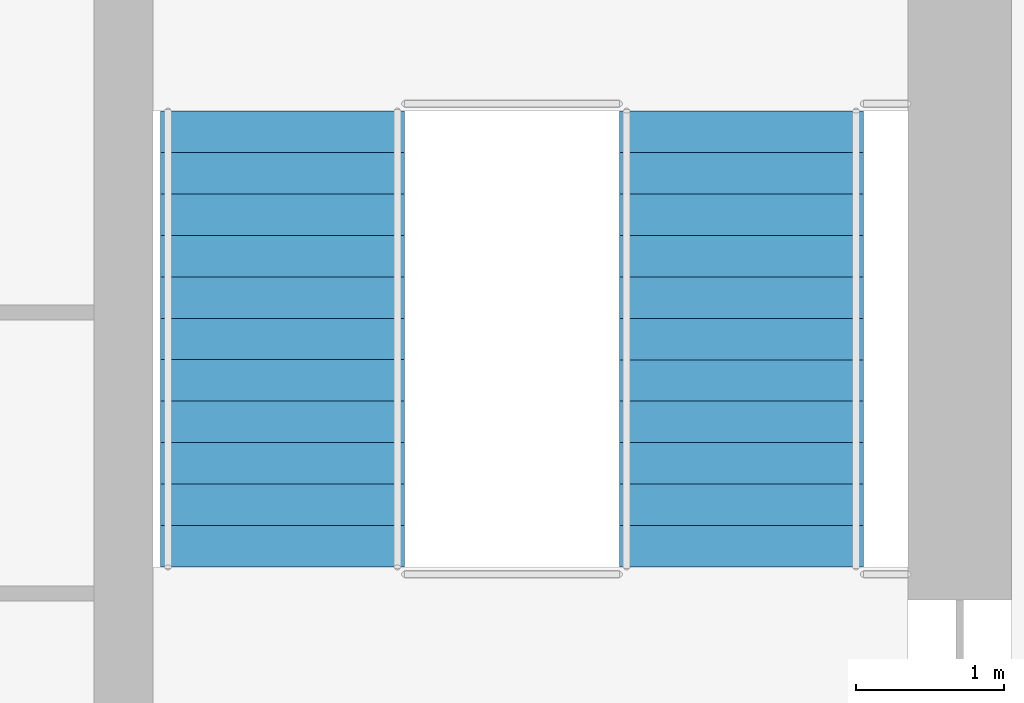
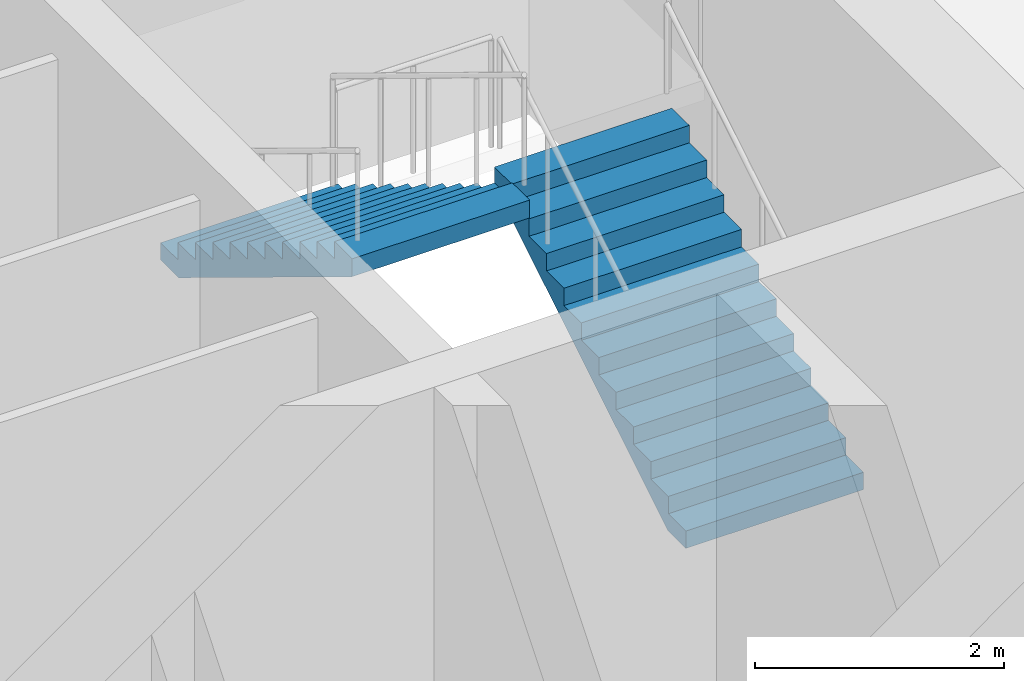
# One storey, part 7 of 14: 2 stair flights, 1 element without a shape of its own.
"""IFC4 building model written with IfcOpenShell, lengths in metres."""

from ifc_helpers import new_model, si_unit, direction, frame, origin, place, context, subcontext, project, spatial, polyline, outline, extrude, material, type_object, element, aggregate, save


model = new_model("IFC4")

# Units and contexts
model_context = context("Model", 3, precision=1e-05, world=origin(), true_north=direction((0.0, 1.0)))
body_context = subcontext(model_context, "Body", "Model", "MODEL_VIEW")
ifc_project = project(units=[si_unit("LENGTHUNIT", "METRE"), si_unit("AREAUNIT", "SQUARE_METRE"), si_unit("VOLUMEUNIT", "CUBIC_METRE"), si_unit("PLANEANGLEUNIT", "RADIAN"), si_unit("MASSUNIT", "GRAM", prefix="KILO")], contexts=[model_context])

# Site, building, storey
site_placement = place(None, origin())
site = spatial("IfcSite", under=ifc_project, at=site_placement, CompositionType="ELEMENT")
building_placement = place(site_placement, origin())
building = spatial("IfcBuilding", under=site, at=building_placement, Name="Corbel Stack Research Tower", CompositionType="ELEMENT")
storey_placement = place(building_placement, frame((0.0, 0.0, 278.60009765625)))
storey = spatial("IfcBuildingStorey", under=building, at=storey_placement, Name="L63", CompositionType="ELEMENT", Elevation=278.60009765625)

# Stair, stair flights
ifc_material_1 = material(Name="Concrete C40/50", Category="concrete")
stair_type = type_object("IfcStairType", Name="Exit stair 24 risers", PredefinedType="HALF_TURN_STAIR", material=ifc_material_1)
stair_placement = place(storey_placement, origin())
stair = element("IfcStair", 1, at=stair_placement, inside=storey, type_object=stair_type, Name="L63 Exit stair ST-E2", PredefinedType="HALF_TURN_STAIR")
ifc_material_2 = material(Name="Concrete C40/50", Category="concrete")
stair_flight_type = type_object("IfcStairFlightType", Name="Stair flight 12 risers", PredefinedType="STRAIGHT", material=ifc_material_2)
stair_flight_1_placement = place(storey_placement, frame((16.175048828125, 11.89990234375, 0.0), z_axis=(0.0, 0.0, 1.0), x_axis=(0.0, 1.0, 0.0)))
stair_flight_1 = element("IfcStairFlight", 2, at=stair_flight_1_placement, type_object=stair_flight_type, Name="ST-E2 flight 1", NumberOfRisers=12, NumberOfTreads=11, PredefinedType="STRAIGHT", RiserHeight=0.170833333, TreadLength=0.28, context=body_context, shape_type="SweptSolid", body=[
    extrude(outline(polyline([(0.0, 0.0), (0.0, 0.1708984375), (0.280029296875, 0.1708984375), (0.280029296875, 0.341552734375), (0.56005859375, 0.341552734375), (0.56005859375, 0.512451171875), (0.840087890625, 0.512451171875), (0.840087890625, 0.683349609375), (1.1201171875, 0.683349609375), (1.1201171875, 0.854248046875), (1.39990234375, 0.854248046875), (1.39990234375, 1.02490234375), (1.679931640625, 1.02490234375), (1.679931640625, 1.19580078125), (1.9599609375, 1.19580078125), (1.9599609375, 1.36669921875), (2.239990234375, 1.36669921875), (2.239990234375, 1.53759765625), (2.52001953125, 1.53759765625), (2.52001953125, 1.708251953125), (2.800048828125, 1.708251953125), (2.800048828125, 1.879150390625), (3.080078125, 1.879150390625), (3.080078125, 2.050048828125), (3.080078125, 1.70361328125), (0.287841796875, 0.0), (0.0, 0.0)])), frame((0.0, 0.824951171875, 0.0), z_axis=(0.0, -1.0, 0.0), x_axis=(1.0, 0.0, 0.0)), (0.0, 0.0, 1.0), 1.64990234375),
])
stair_flight_2_placement = place(storey_placement, frame((13.074951171875, 14.97998046875, 2.0498046875), z_axis=(0.0, 0.0, 1.0), x_axis=(0.0, -1.0, 0.0)))
stair_flight_2 = element("IfcStairFlight", 3, at=stair_flight_2_placement, type_object=stair_flight_type, Name="ST-E2 flight 2", NumberOfRisers=12, NumberOfTreads=11, PredefinedType="STRAIGHT", RiserHeight=0.170833333, TreadLength=0.28, context=body_context, shape_type="SweptSolid", body=[
    extrude(outline(polyline([(0.0, 0.0), (0.0, 0.1708984375), (0.280029296875, 0.1708984375), (0.280029296875, 0.341552734375), (0.56005859375, 0.341552734375), (0.56005859375, 0.512451171875), (0.840087890625, 0.512451171875), (0.840087890625, 0.683349609375), (1.1201171875, 0.683349609375), (1.1201171875, 0.854248046875), (1.39990234375, 0.854248046875), (1.39990234375, 1.02490234375), (1.679931640625, 1.02490234375), (1.679931640625, 1.19580078125), (1.9599609375, 1.19580078125), (1.9599609375, 1.36669921875), (2.239990234375, 1.36669921875), (2.239990234375, 1.53759765625), (2.52001953125, 1.53759765625), (2.52001953125, 1.708251953125), (2.800048828125, 1.708251953125), (2.800048828125, 1.879150390625), (3.080078125, 1.879150390625), (3.080078125, 2.050048828125), (3.080078125, 1.70361328125), (0.287841796875, 0.0), (0.0, 0.0)])), frame((0.0, 0.824951171875, 0.0), z_axis=(0.0, -1.0, 0.0), x_axis=(1.0, 0.0, 0.0)), (0.0, 0.0, 1.0), 1.64990234375),
])
aggregate(stair, [stair_flight_1, stair_flight_2])

save(model, "model.ifc")
